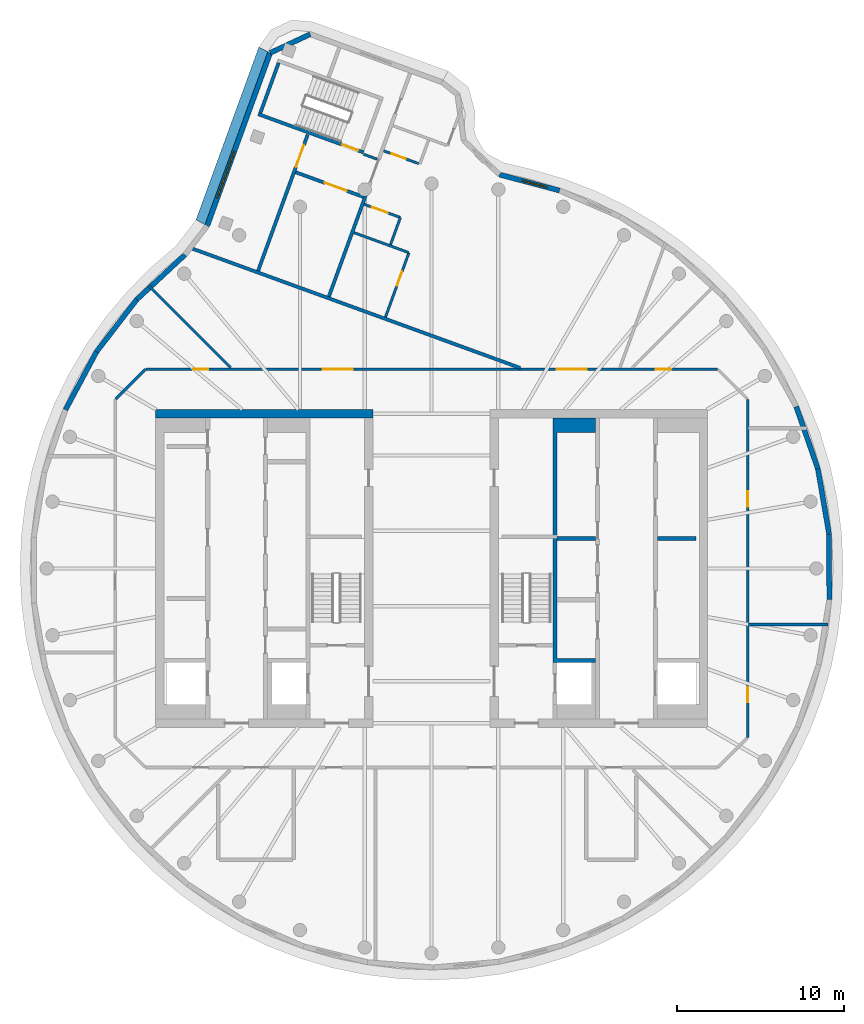
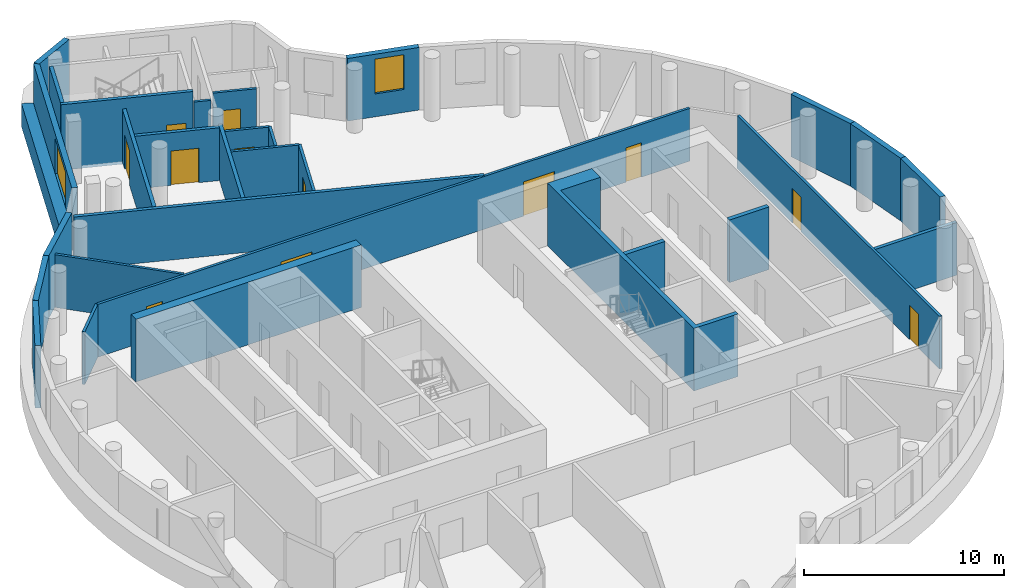
# One storey, part 5 of 7: 30 walls, 12 doors, 2 windows, 1 member, 14 openings.
"""IFC4 building model written with IfcOpenShell, lengths in metres."""

from ifc_helpers import new_model, si_unit, direction, frame, frame_2d, origin, place, context, subcontext, project, spatial, polyline, rectangle, outline, extrude, material, layer, layer_set, type_object, element, fill, aggregate, save


model = new_model("IFC4")

# Units and contexts
model_context = context("Model", 3, precision=1e-05, world=origin(), true_north=direction((0.0, 1.0)))
body_context = subcontext(model_context, "Body", "Model", "MODEL_VIEW")
ifc_project = project(units=[si_unit("LENGTHUNIT", "METRE"), si_unit("AREAUNIT", "SQUARE_METRE"), si_unit("VOLUMEUNIT", "CUBIC_METRE"), si_unit("PLANEANGLEUNIT", "RADIAN"), si_unit("MASSUNIT", "GRAM", prefix="KILO")], contexts=[model_context])

# Member
ifc_material_1 = material(Name="Aluminium and insulated spandrel panel", Category="aluminium")
member_type = type_object("IfcMemberType", Name="Floor-edge blade transom", PredefinedType="USERDEFINED", material=ifc_material_1)
site_placement = place(None, origin())
building_placement = place(site_placement, origin())
storey_placement = place(building_placement, frame((0.0, 0.0, 317.39990234375)))
member_placement = place(storey_placement, origin())
member = element("IfcMember", 1, at=member_placement, type_object=member_type, Name="CWT-L78-01", ObjectType="TRANSOM", PredefinedType="USERDEFINED", context=body_context, shape_type="SweptSolid", body=[
    extrude(outline(polyline([(-9.78173828125, 30.880859375), (-13.54248046875, 20.54736328125), (-14.07470703125, 20.839599609375), (-10.318603515625, 31.16015625), (-9.78173828125, 30.880859375)])), origin(), (0.0, 0.0, 1.0), 1.400146484375),
])

# Site, building, storey
site = spatial("IfcSite", under=ifc_project, at=site_placement, CompositionType="ELEMENT")
building = spatial("IfcBuilding", under=site, at=building_placement, Name="Tamarind Cross Interchange Tower", CompositionType="ELEMENT")
storey = spatial("IfcBuildingStorey", under=building, at=storey_placement, Name="L78", CompositionType="ELEMENT", Elevation=317.39990234375)

# Walls
ifc_material_2 = material(Name="Concrete C50", Category="concrete")
ifc_layer_1 = layer(ifc_material_2, 0.5)
ifc_layer_set_1 = layer_set([ifc_layer_1], Name="Concrete C50")
wall_type_1 = type_object("IfcWallType", Name="Core wall 500 mm Concrete C50", PredefinedType="SHEAR", material=ifc_layer_set_1)
wall_1_placement = place(storey_placement, frame((-16.5, 9.25, 0.0), z_axis=(0.0, 0.0, 1.0), x_axis=(1.0, 0.0, 0.0)))
element("IfcWall", 2, at=wall_1_placement, inside=storey, type_object=wall_type_1, Name="Core wall CWL-L78-W-NE", PredefinedType="SHEAR", context=body_context, shape_type="SweptSolid", body=[
    extrude(rectangle(XDim=13.0, YDim=0.5, at=frame_2d((6.5, 0.0))), origin(), (0.0, 0.0, 1.0), 3.820068359375),
])
ifc_layer_2 = layer(ifc_material_2, 0.25)
ifc_layer_set_2 = layer_set([ifc_layer_2], Name="Concrete C50")
wall_type_2 = type_object("IfcWallType", Name="Core web wall 250 mm Concrete C50", PredefinedType="SHEAR", material=ifc_layer_set_2)
wall_2_placement = place(storey_placement, origin())
element("IfcWall", 3, at=wall_2_placement, inside=storey, type_object=wall_type_2, Name="Core wall CWL-L78-E-BN", PredefinedType="SHEAR", context=body_context, shape_type="SweptSolid", body=[
    extrude(outline(polyline([(9.800048828125, -5.625), (9.800048828125, -5.375), (7.5, -5.375), (7.5, 8.125), (9.800048828125, 8.125), (9.800048828125, 9.0), (7.5, 9.0), (7.25, 9.0), (7.25, -5.625), (7.5, -5.625), (9.800048828125, -5.625)])), origin(), (0.0, 0.0, 1.0), 3.820068359375),
])
ifc_material_3 = material(Name="Gypsum board partition on steel studs", Category="steel")
ifc_layer_3 = layer(ifc_material_3, 0.14990234375)
ifc_layer_set_3 = layer_set([ifc_layer_3], Name="Gypsum board partition on steel studs")
wall_type_3 = type_object("IfcWallType", Name="Partition 150 mm EI 120", PredefinedType="PARTITIONING", material=ifc_layer_set_3)
wall_3_placement = place(storey_placement, frame((-16.921142578125, 16.921142578125, 0.0), z_axis=(0.0, 0.0, 1.0), x_axis=(0.707106781187, -0.707106781187, 0.0)))
element("IfcWall", 4, at=wall_3_placement, inside=storey, type_object=wall_type_3, Name="Partition L78-002", PredefinedType="PARTITIONING", context=body_context, shape_type="SweptSolid", body=[
    extrude(rectangle(XDim=6.946044921875, YDim=0.14990234375, at=frame_2d((3.47314453125, 0.0))), origin(), (0.0, 0.0, 1.0), 3.22021484375),
])
wall_4_placement = place(storey_placement, frame((-4.639892578125, 20.07080078125, 0.0), z_axis=(0.0, 0.0, 1.0), x_axis=(0.939625353143, -0.342204903138, 0.0)))
element("IfcWall", 5, at=wall_4_placement, inside=storey, type_object=wall_type_3, Name="Partition L78-007", PredefinedType="PARTITIONING", context=body_context, shape_type="SweptSolid", body=[
    extrude(rectangle(XDim=3.480224609375, YDim=0.14990234375, at=frame_2d((1.740234375, 0.0))), origin(), (0.0, 0.0, 1.0), 3.22021484375),
])

# Wall, opening, door
wall_5_placement = place(storey_placement, frame((-4.02392578125, 21.76171875, 0.0), z_axis=(0.0, 0.0, 1.0), x_axis=(0.939640114695, -0.342164368185, 0.0)))
wall_5 = element("IfcWall", 6, at=wall_5_placement, inside=storey, type_object=wall_type_3, Name="Partition L78-008", PredefinedType="PARTITIONING", context=body_context, shape_type="SweptSolid", body=[
    extrude(rectangle(XDim=2.27978515625, YDim=0.14990234375, at=frame_2d((1.139892578125, 0.0))), origin(), (0.0, 0.0, 1.0), 3.22021484375),
])
opening_1_placement = place(wall_5_placement, frame((0.5, 0.0, 0.0)))
opening_1 = element("IfcOpeningElement", 7, at=opening_1_placement, cuts=wall_5, Name="Opening D02", PredefinedType="OPENING", context=body_context, shape_type="SweptSolid", body=[
    extrude(rectangle(XDim=1.0, YDim=2.10009765625, at=frame_2d((0.5, 1.050048828125))), frame((0.0, 0.0849609375, 0.0), z_axis=(0.0, -1.0, 0.0), x_axis=(1.0, 0.0, 0.0)), (0.0, 0.0, 1.0), 0.169921875),
])
ifc_material_4 = material(Name="Fire-resisting door set")
door_type_1 = type_object("IfcDoorType", Name="Interior door 1000 x 2100 FD60S", OperationType="SINGLE_SWING_LEFT", PredefinedType="DOOR", material=ifc_material_4)
door_1_placement = place(opening_1_placement, frame((1.0, 0.0, 0.0), z_axis=(0.0, 0.0, 1.0), x_axis=(-1.0, 0.0, 0.0)))
door_1 = element("IfcDoor", 8, at=door_1_placement, inside=storey, type_object=door_type_1, Name="Door D02", OperationType="SINGLE_SWING_LEFT", OverallHeight=2.10009765625, OverallWidth=1.0, PredefinedType="DOOR", context=body_context, shape_type="SweptSolid", body=[
    extrude(rectangle(XDim=1.0, YDim=2.10009765625, at=frame_2d((0.5, 1.050048828125))), frame((0.0, 0.02490234375, 0.0), z_axis=(0.0, -1.0, 0.0), x_axis=(1.0, 0.0, 0.0)), (0.0, 0.0, 1.0), 0.050048828125),
])
fill(opening_1, door_1)

# Wall
wall_6_placement = place(storey_placement, frame((-4.0634765625, 24.755859375, 0.0), z_axis=(0.0, 0.0, 1.0), x_axis=(0.939710329429, -0.341971485308, 0.0)))
element("IfcWall", 9, at=wall_6_placement, inside=storey, type_object=wall_type_3, Name="Partition L78-009", PredefinedType="PARTITIONING", context=body_context, shape_type="SweptSolid", body=[
    extrude(rectangle(XDim=0.858154296875, YDim=0.14990234375, at=frame_2d((0.42919921875, 0.0))), origin(), (0.0, 0.0, 1.0), 3.22021484375),
])

# Wall, opening, door
wall_7_placement = place(storey_placement, frame((-2.861083984375, 24.956787109375, 0.0), z_axis=(0.0, 0.0, 1.0), x_axis=(0.93968419655, -0.342043287836, 0.0)))
wall_7 = element("IfcWall", 10, at=wall_7_placement, inside=storey, type_object=wall_type_3, Name="Partition L78-010", PredefinedType="PARTITIONING", context=body_context, shape_type="SweptSolid", body=[
    extrude(rectangle(XDim=2.2197265625, YDim=0.14990234375, at=frame_2d((1.10986328125, 0.0))), origin(), (0.0, 0.0, 1.0), 3.22021484375),
])
opening_2_placement = place(wall_7_placement, frame((0.5, 0.0, 0.0)))
opening_2 = element("IfcOpeningElement", 11, at=opening_2_placement, cuts=wall_7, Name="Opening D03", PredefinedType="OPENING", context=body_context, shape_type="SweptSolid", body=[
    extrude(rectangle(XDim=0.89990234375, YDim=2.10009765625, at=frame_2d((0.449951171875, 1.050048828125))), frame((0.0, 0.0849609375, 0.0), z_axis=(0.0, -1.0, 0.0), x_axis=(1.0, 0.0, 0.0)), (0.0, 0.0, 1.0), 0.169921875),
])
door_type_2 = type_object("IfcDoorType", Name="Interior door 900 x 2100 FD60S", OperationType="SINGLE_SWING_LEFT", PredefinedType="DOOR", material=ifc_material_4)
door_2_placement = place(opening_2_placement, origin())
door_2 = element("IfcDoor", 12, at=door_2_placement, inside=storey, type_object=door_type_2, Name="Door D03", OperationType="SINGLE_SWING_RIGHT", OverallHeight=2.10009765625, OverallWidth=0.89990234375, PredefinedType="DOOR", context=body_context, shape_type="SweptSolid", body=[
    extrude(rectangle(XDim=0.89990234375, YDim=2.10009765625, at=frame_2d((0.449951171875, 1.050048828125))), frame((0.0, 0.02490234375, 0.0), z_axis=(0.0, -1.0, 0.0), x_axis=(1.0, 0.0, 0.0)), (0.0, 0.0, 1.0), 0.050048828125),
])
fill(opening_2, door_2)

# Wall, openings, doors
wall_8_placement = place(storey_placement, frame((-17.06494140625, 11.89990234375, 0.0), z_axis=(0.0, 0.0, 1.0), x_axis=(1.0, 0.0, 0.0)))
wall_8 = element("IfcWall", 13, at=wall_8_placement, inside=storey, type_object=wall_type_3, Name="Partition L78-015", PredefinedType="PARTITIONING", context=body_context, shape_type="SweptSolid", body=[
    extrude(rectangle(XDim=34.1650390625, YDim=0.14990234375, at=frame_2d((17.08251953125, 0.0))), origin(), (0.0, 0.0, 1.0), 3.22021484375),
])
opening_3_placement = place(wall_8_placement, frame((24.5439453125, 0.0, 0.0)))
opening_3 = element("IfcOpeningElement", 14, at=opening_3_placement, cuts=wall_8, Name="Opening D09", PredefinedType="OPENING", context=body_context, shape_type="SweptSolid", body=[
    extrude(rectangle(XDim=1.800048828125, YDim=2.10009765625, at=frame_2d((0.89990234375, 1.050048828125))), frame((0.0, 0.0849609375, 0.0), z_axis=(0.0, -1.0, 0.0), x_axis=(1.0, 0.0, 0.0)), (0.0, 0.0, 1.0), 0.169921875),
])
opening_4_placement = place(wall_8_placement, frame((30.465087890625, 0.0, 0.0)))
opening_4 = element("IfcOpeningElement", 15, at=opening_4_placement, cuts=wall_8, Name="Opening D10", PredefinedType="OPENING", context=body_context, shape_type="SweptSolid", body=[
    extrude(rectangle(XDim=0.89990234375, YDim=2.10009765625, at=frame_2d((0.449951171875, 1.050048828125))), frame((0.0, 0.0849609375, 0.0), z_axis=(0.0, -1.0, 0.0), x_axis=(1.0, 0.0, 0.0)), (0.0, 0.0, 1.0), 0.169921875),
])
opening_5_placement = place(wall_8_placement, frame((2.81494140625, 0.0, 0.0)))
opening_5 = element("IfcOpeningElement", 16, at=opening_5_placement, cuts=wall_8, Name="Opening D11", PredefinedType="OPENING", context=body_context, shape_type="SweptSolid", body=[
    extrude(rectangle(XDim=0.89990234375, YDim=2.10009765625, at=frame_2d((0.449951171875, 1.050048828125))), frame((0.0, 0.0849609375, 0.0), z_axis=(0.0, -1.0, 0.0), x_axis=(1.0, 0.0, 0.0)), (0.0, 0.0, 1.0), 0.169921875),
])
opening_6_placement = place(wall_8_placement, frame((10.56494140625, 0.0, 0.0)))
opening_6 = element("IfcOpeningElement", 17, at=opening_6_placement, cuts=wall_8, Name="Opening D12", PredefinedType="OPENING", context=body_context, shape_type="SweptSolid", body=[
    extrude(rectangle(XDim=1.800048828125, YDim=2.10009765625, at=frame_2d((0.89990234375, 1.050048828125))), frame((0.0, 0.0849609375, 0.0), z_axis=(0.0, -1.0, 0.0), x_axis=(1.0, 0.0, 0.0)), (0.0, 0.0, 1.0), 0.169921875),
])
door_type_3 = type_object("IfcDoorType", Name="Interior door 1800 x 2100 FD60S", OperationType="DOUBLE_DOOR_SINGLE_SWING", PredefinedType="DOOR", material=ifc_material_4)
door_3_placement = place(opening_3_placement, frame((1.800048828125, 0.0, 0.0), z_axis=(0.0, 0.0, 1.0), x_axis=(-1.0, 0.0, 0.0)))
door_3 = element("IfcDoor", 18, at=door_3_placement, inside=storey, type_object=door_type_3, Name="Door D09", OperationType="DOUBLE_DOOR_SINGLE_SWING", OverallHeight=2.10009765625, OverallWidth=1.800048828125, PredefinedType="DOOR", context=body_context, shape_type="SweptSolid", body=[
    extrude(rectangle(XDim=1.800048828125, YDim=2.10009765625, at=frame_2d((0.89990234375, 1.050048828125))), frame((0.0, 0.02490234375, 0.0), z_axis=(0.0, -1.0, 0.0), x_axis=(1.0, 0.0, 0.0)), (0.0, 0.0, 1.0), 0.050048828125),
])
fill(opening_3, door_3)
door_4_placement = place(opening_6_placement, origin())
door_4 = element("IfcDoor", 19, at=door_4_placement, inside=storey, type_object=door_type_3, Name="Door D12", OperationType="DOUBLE_DOOR_SINGLE_SWING", OverallHeight=2.10009765625, OverallWidth=1.800048828125, PredefinedType="DOOR", context=body_context, shape_type="SweptSolid", body=[
    extrude(rectangle(XDim=1.800048828125, YDim=2.10009765625, at=frame_2d((0.89990234375, 1.050048828125))), frame((0.0, 0.02490234375, 0.0), z_axis=(0.0, -1.0, 0.0), x_axis=(1.0, 0.0, 0.0)), (0.0, 0.0, 1.0), 0.050048828125),
])
fill(opening_6, door_4)
door_5_placement = place(opening_4_placement, origin())
door_5 = element("IfcDoor", 20, at=door_5_placement, inside=storey, type_object=door_type_2, Name="Door D10", OperationType="SINGLE_SWING_LEFT", OverallHeight=2.10009765625, OverallWidth=0.89990234375, PredefinedType="DOOR", context=body_context, shape_type="SweptSolid", body=[
    extrude(rectangle(XDim=0.89990234375, YDim=2.10009765625, at=frame_2d((0.449951171875, 1.050048828125))), frame((0.0, 0.02490234375, 0.0), z_axis=(0.0, -1.0, 0.0), x_axis=(1.0, 0.0, 0.0)), (0.0, 0.0, 1.0), 0.050048828125),
])
fill(opening_4, door_5)
door_6_placement = place(opening_5_placement, origin())
door_6 = element("IfcDoor", 21, at=door_6_placement, inside=storey, type_object=door_type_2, Name="Door D11", OperationType="SINGLE_SWING_RIGHT", OverallHeight=2.10009765625, OverallWidth=0.89990234375, PredefinedType="DOOR", context=body_context, shape_type="SweptSolid", body=[
    extrude(rectangle(XDim=0.89990234375, YDim=2.10009765625, at=frame_2d((0.449951171875, 1.050048828125))), frame((0.0, 0.02490234375, 0.0), z_axis=(0.0, -1.0, 0.0), x_axis=(1.0, 0.0, 0.0)), (0.0, 0.0, 1.0), 0.050048828125),
])
fill(opening_5, door_6)

# Wall
wall_9_placement = place(storey_placement, frame((-18.87158203125, 10.12841796875, 0.0), z_axis=(0.0, 0.0, 1.0), x_axis=(0.707106781187, 0.707106781187, 0.0)))
element("IfcWall", 22, at=wall_9_placement, inside=storey, type_object=wall_type_3, Name="Partition L78-020", PredefinedType="PARTITIONING", context=body_context, shape_type="SweptSolid", body=[
    extrude(rectangle(XDim=2.50537109375, YDim=0.14990234375, at=frame_2d((1.252685546875, 0.0))), origin(), (0.0, 0.0, 1.0), 3.22021484375),
])

# Wall, opening, door
wall_10_placement = place(storey_placement, frame((-2.752685546875, 15.02099609375, 0.0), z_axis=(0.0, 0.0, 1.0), x_axis=(0.341929559358, 0.939725585709, 0.0)))
wall_10 = element("IfcWall", 23, at=wall_10_placement, inside=storey, type_object=wall_type_3, Name="Partition L78-028", PredefinedType="PARTITIONING", context=body_context, shape_type="SweptSolid", body=[
    extrude(rectangle(XDim=4.09912109375, YDim=0.14990234375, at=frame_2d((2.049560546875, 0.0))), origin(), (0.0, 0.0, 1.0), 3.22021484375),
])
opening_7_placement = place(wall_10_placement, frame((2.0, 0.0, 0.0)))
opening_7 = element("IfcOpeningElement", 24, at=opening_7_placement, cuts=wall_10, Name="Opening D16", PredefinedType="OPENING", context=body_context, shape_type="SweptSolid", body=[
    extrude(rectangle(XDim=0.89990234375, YDim=2.10009765625, at=frame_2d((0.449951171875, 1.050048828125))), frame((0.0, 0.0849609375, 0.0), z_axis=(0.0, -1.0, 0.0), x_axis=(1.0, 0.0, 0.0)), (0.0, 0.0, 1.0), 0.169921875),
])
door_7_placement = place(opening_7_placement, origin())
door_7 = element("IfcDoor", 25, at=door_7_placement, inside=storey, type_object=door_type_2, Name="Door D16", OperationType="SINGLE_SWING_LEFT", OverallHeight=2.10009765625, OverallWidth=0.89990234375, PredefinedType="DOOR", context=body_context, shape_type="SweptSolid", body=[
    extrude(rectangle(XDim=0.89990234375, YDim=2.10009765625, at=frame_2d((0.449951171875, 1.050048828125))), frame((0.0, 0.02490234375, 0.0), z_axis=(0.0, -1.0, 0.0), x_axis=(1.0, 0.0, 0.0)), (0.0, 0.0, 1.0), 0.050048828125),
])
fill(opening_7, door_7)

# Wall
wall_11_placement = place(storey_placement, frame((-2.452392578125, 19.3544921875, 0.0), z_axis=(0.0, 0.0, 1.0), x_axis=(0.341765797908, 0.939785155969, 0.0)))
element("IfcWall", 26, at=wall_11_placement, inside=storey, type_object=wall_type_3, Name="Partition L78-030", PredefinedType="PARTITIONING", context=body_context, shape_type="SweptSolid", body=[
    extrude(rectangle(XDim=1.724365234375, YDim=0.14990234375, at=frame_2d((0.8623046875, 0.0))), origin(), (0.0, 0.0, 1.0), 3.22021484375),
])

# Wall, openings, doors
wall_12_placement = place(storey_placement, frame((18.89990234375, -10.10009765625, 0.0), z_axis=(0.0, 0.0, 1.0), x_axis=(0.0, 1.0, 0.0)))
wall_12 = element("IfcWall", 27, at=wall_12_placement, inside=storey, type_object=wall_type_3, Name="Partition L78-039", PredefinedType="PARTITIONING", context=body_context, shape_type="SweptSolid", body=[
    extrude(rectangle(XDim=20.2001953125, YDim=0.14990234375, at=frame_2d((10.10009765625, 0.0))), origin(), (0.0, 0.0, 1.0), 3.22021484375),
])
opening_8_placement = place(wall_12_placement, frame((2.10009765625, 0.0, 0.0)))
opening_8 = element("IfcOpeningElement", 28, at=opening_8_placement, cuts=wall_12, Name="Opening D19", PredefinedType="OPENING", context=body_context, shape_type="SweptSolid", body=[
    extrude(rectangle(XDim=0.89990234375, YDim=2.10009765625, at=frame_2d((0.449951171875, 1.050048828125))), frame((0.0, 0.0849609375, 0.0), z_axis=(0.0, -1.0, 0.0), x_axis=(1.0, 0.0, 0.0)), (0.0, 0.0, 1.0), 0.169921875),
])
opening_9_placement = place(wall_12_placement, frame((13.802001953125, 0.0, 0.0)))
opening_9 = element("IfcOpeningElement", 29, at=opening_9_placement, cuts=wall_12, Name="Opening D20", PredefinedType="OPENING", context=body_context, shape_type="SweptSolid", body=[
    extrude(rectangle(XDim=0.89990234375, YDim=2.10009765625, at=frame_2d((0.449951171875, 1.050048828125))), frame((0.0, 0.0849609375, 0.0), z_axis=(0.0, -1.0, 0.0), x_axis=(1.0, 0.0, 0.0)), (0.0, 0.0, 1.0), 0.169921875),
])
door_8_placement = place(opening_8_placement, frame((0.89990234375, 0.0, 0.0), z_axis=(0.0, 0.0, 1.0), x_axis=(-1.0, 0.0, 0.0)))
door_8 = element("IfcDoor", 30, at=door_8_placement, inside=storey, type_object=door_type_2, Name="Door D19", OperationType="SINGLE_SWING_LEFT", OverallHeight=2.10009765625, OverallWidth=0.89990234375, PredefinedType="DOOR", context=body_context, shape_type="SweptSolid", body=[
    extrude(rectangle(XDim=0.89990234375, YDim=2.10009765625, at=frame_2d((0.449951171875, 1.050048828125))), frame((0.0, 0.02490234375, 0.0), z_axis=(0.0, -1.0, 0.0), x_axis=(1.0, 0.0, 0.0)), (0.0, 0.0, 1.0), 0.050048828125),
])
fill(opening_8, door_8)
door_9_placement = place(opening_9_placement, frame((0.89990234375, 0.0, 0.0), z_axis=(0.0, 0.0, 1.0), x_axis=(-1.0, 0.0, 0.0)))
door_9 = element("IfcDoor", 31, at=door_9_placement, inside=storey, type_object=door_type_2, Name="Door D20", OperationType="SINGLE_SWING_RIGHT", OverallHeight=2.10009765625, OverallWidth=0.89990234375, PredefinedType="DOOR", context=body_context, shape_type="SweptSolid", body=[
    extrude(rectangle(XDim=0.89990234375, YDim=2.10009765625, at=frame_2d((0.449951171875, 1.050048828125))), frame((0.0, 0.02490234375, 0.0), z_axis=(0.0, -1.0, 0.0), x_axis=(1.0, 0.0, 0.0)), (0.0, 0.0, 1.0), 0.050048828125),
])
fill(opening_9, door_9)

# Wall
ifc_layer_4 = layer(ifc_material_3, 0.199951171875)
ifc_layer_set_4 = layer_set([ifc_layer_4], Name="Gypsum board partition on steel studs")
wall_type_4 = type_object("IfcWallType", Name="Partition 200 mm EI 180", PredefinedType="PARTITIONING", material=ifc_layer_set_4)
wall_13_placement = place(storey_placement, frame((-14.27099609375, 19.105712890625, 0.0), z_axis=(0.0, 0.0, 1.0), x_axis=(0.939707843555, -0.341978316216, 0.0)))
element("IfcWall", 32, at=wall_13_placement, inside=storey, type_object=wall_type_4, Name="Partition L78-005", PredefinedType="PARTITIONING", context=body_context, shape_type="SweptSolid", body=[
    extrude(rectangle(XDim=20.830322265625, YDim=0.199951171875, at=frame_2d((10.4150390625, 0.0))), origin(), (0.0, 0.0, 1.0), 3.22021484375),
])

# Wall, opening, door
wall_14_placement = place(storey_placement, frame((-8.115966796875, 23.6767578125, 0.0), z_axis=(0.0, 0.0, 1.0), x_axis=(0.939720382498, -0.341943859016, 0.0)))
wall_14 = element("IfcWall", 33, at=wall_14_placement, inside=storey, type_object=wall_type_4, Name="Partition L78-006", PredefinedType="PARTITIONING", context=body_context, shape_type="SweptSolid", body=[
    extrude(rectangle(XDim=4.29541015625, YDim=0.199951171875, at=frame_2d((2.147705078125, 0.0))), origin(), (0.0, 0.0, 1.0), 3.22021484375),
])
opening_10_placement = place(wall_14_placement, frame((1.85009765625, 0.0, 0.0)))
opening_10 = element("IfcOpeningElement", 34, at=opening_10_placement, cuts=wall_14, Name="Opening D01", PredefinedType="OPENING", context=body_context, shape_type="SweptSolid", body=[
    extrude(rectangle(XDim=1.39990234375, YDim=2.10009765625, at=frame_2d((0.699951171875, 1.050048828125))), frame((0.0, 0.10986328125, 0.0), z_axis=(0.0, -1.0, 0.0), x_axis=(1.0, 0.0, 0.0)), (0.0, 0.0, 1.0), 0.219970703125),
])
door_type_4 = type_object("IfcDoorType", Name="Interior door 1400 x 2100 FD120S", OperationType="DOUBLE_DOOR_SINGLE_SWING", PredefinedType="DOOR", material=ifc_material_4)
door_10_placement = place(opening_10_placement, frame((1.39990234375, 0.0, 0.0), z_axis=(0.0, 0.0, 1.0), x_axis=(-1.0, 0.0, 0.0)))
door_10 = element("IfcDoor", 35, at=door_10_placement, inside=storey, type_object=door_type_4, Name="Door D01", OperationType="DOUBLE_DOOR_SINGLE_SWING", OverallHeight=2.10009765625, OverallWidth=1.39990234375, PredefinedType="DOOR", context=body_context, shape_type="SweptSolid", body=[
    extrude(rectangle(XDim=1.39990234375, YDim=2.10009765625, at=frame_2d((0.699951171875, 1.050048828125))), frame((0.0, 0.02490234375, 0.0), z_axis=(0.0, -1.0, 0.0), x_axis=(1.0, 0.0, 0.0)), (0.0, 0.0, 1.0), 0.050048828125),
])
fill(opening_10, door_10)

# Wall
wall_15_placement = place(storey_placement, frame((18.955078125, -3.347900390625, 0.0), z_axis=(0.0, 0.0, 1.0), x_axis=(1.0, 0.0, 0.0)))
element("IfcWall", 36, at=wall_15_placement, inside=storey, type_object=wall_type_4, Name="Partition L78-018", PredefinedType="PARTITIONING", context=body_context, shape_type="SweptSolid", body=[
    extrude(rectangle(XDim=4.72802734375, YDim=0.199951171875, at=frame_2d((2.364013671875, 0.0))), origin(), (0.0, 0.0, 1.0), 3.22021484375),
])

# Wall, opening, door
wall_16_placement = place(storey_placement, frame((-10.36474609375, 17.791015625, 0.0), z_axis=(0.0, 0.0, 1.0), x_axis=(0.342032792834, 0.939688016645, 0.0)))
wall_16 = element("IfcWall", 37, at=wall_16_placement, inside=storey, type_object=wall_type_4, Name="Partition L78-024", PredefinedType="PARTITIONING", context=body_context, shape_type="SweptSolid", body=[
    extrude(rectangle(XDim=8.65966796875, YDim=0.199951171875, at=frame_2d((4.329833984375, 0.0))), origin(), (0.0, 0.0, 1.0), 3.22021484375),
])
opening_11_placement = place(wall_16_placement, frame((6.60009765625, 0.0, 0.0)))
opening_11 = element("IfcOpeningElement", 38, at=opening_11_placement, cuts=wall_16, Name="Opening D13", PredefinedType="OPENING", context=body_context, shape_type="SweptSolid", body=[
    extrude(rectangle(XDim=1.39990234375, YDim=2.10009765625, at=frame_2d((0.699951171875, 1.050048828125))), frame((0.0, 0.10986328125, 0.0), z_axis=(0.0, -1.0, 0.0), x_axis=(1.0, 0.0, 0.0)), (0.0, 0.0, 1.0), 0.219970703125),
])
door_11_placement = place(opening_11_placement, origin())
door_11 = element("IfcDoor", 39, at=door_11_placement, inside=storey, type_object=door_type_4, Name="Door D13", OperationType="DOUBLE_DOOR_SINGLE_SWING", OverallHeight=2.10009765625, OverallWidth=1.39990234375, PredefinedType="DOOR", context=body_context, shape_type="SweptSolid", body=[
    extrude(rectangle(XDim=1.39990234375, YDim=2.10009765625, at=frame_2d((0.699951171875, 1.050048828125))), frame((0.0, 0.02490234375, 0.0), z_axis=(0.0, -1.0, 0.0), x_axis=(1.0, 0.0, 0.0)), (0.0, 0.0, 1.0), 0.050048828125),
])
fill(opening_11, door_11)

# Walls
wall_17_placement = place(storey_placement, frame((-6.1357421875, 16.251953125, 0.0), z_axis=(0.0, 0.0, 1.0), x_axis=(0.341890434998, 0.939739820619, 0.0)))
element("IfcWall", 40, at=wall_17_placement, inside=storey, type_object=wall_type_4, Name="Partition L78-026", PredefinedType="PARTITIONING", context=body_context, shape_type="SweptSolid", body=[
    extrude(rectangle(XDim=6.517578125, YDim=0.199951171875, at=frame_2d((3.2587890625, 0.0))), origin(), (0.0, 0.0, 1.0), 3.22021484375),
])
ifc_material_5 = material(Name="Precast concrete C40", Category="concrete")
ifc_layer_5 = layer(ifc_material_5, 0.300048828125)
ifc_layer_set_5 = layer_set([ifc_layer_5], Name="Precast concrete C40")
wall_type_5 = type_object("IfcWallType", Name="Plant louvre wall", PredefinedType="SOLIDWALL", material=ifc_layer_set_5)
wall_18_placement = place(storey_placement, frame((-7.251220703125, 31.928466796875, 0.0), z_axis=(0.0, 0.0, 1.0), x_axis=(-0.906301055213, -0.422632697882, 0.0)))
element("IfcWall", 41, at=wall_18_placement, inside=storey, type_object=wall_type_5, Name="EXW-L78-00-01", PredefinedType="SOLIDWALL", context=body_context, shape_type="SweptSolid", body=[
    extrude(rectangle(XDim=2.64404296875, YDim=0.300048828125, at=frame_2d((1.322021484375, 0.0))), origin(), (0.0, 0.0, 1.0), 3.820068359375),
])

# Wall, opening, window
wall_19_placement = place(storey_placement, frame((-9.6474609375, 30.81103515625, 0.0), z_axis=(0.0, 0.0, 1.0), x_axis=(-0.341997884375, -0.939700722083, 0.0)))
wall_19 = element("IfcWall", 42, at=wall_19_placement, inside=storey, type_object=wall_type_5, Name="EXW-L78-01-00", PredefinedType="SOLIDWALL", context=body_context, shape_type="SweptSolid", body=[
    extrude(rectangle(XDim=11.0, YDim=0.300048828125, at=frame_2d((5.5, 0.0))), origin(), (0.0, 0.0, 1.0), 3.820068359375),
])
opening_12_placement = place(wall_19_placement, frame((6.230224609375, 0.0, 1.39990234375)))
opening_12 = element("IfcOpeningElement", 43, at=opening_12_placement, cuts=wall_19, Name="Opening W2", PredefinedType="OPENING", context=body_context, shape_type="SweptSolid", body=[
    extrude(rectangle(XDim=3.0, YDim=2.1201171875, at=frame_2d((1.5, 1.06005859375))), frame((0.0, 0.159912109375, 0.0), z_axis=(0.0, -1.0, 0.0), x_axis=(1.0, 0.0, 0.0)), (0.0, 0.0, 1.0), 0.320068359375),
])
ifc_material_6 = material(Name="Aluminium louvre", Category="aluminium")
window_type = type_object("IfcWindowType", Name="Plant louvre bank", PartitioningType="SINGLE_PANEL", PredefinedType="WINDOW", material=ifc_material_6)
window_1_placement = place(opening_12_placement, origin())
window_1 = element("IfcWindow", 44, at=window_1_placement, inside=storey, type_object=window_type, Name="WIN-L78-01-00", OverallHeight=2.1201171875, OverallWidth=3.0, PartitioningType="SINGLE_PANEL", PredefinedType="WINDOW", context=body_context, shape_type="SweptSolid", body=[
    extrude(rectangle(XDim=3.0, YDim=2.1201171875, at=frame_2d((1.5, 1.06005859375))), frame((0.0, 0.030029296875, 0.0), z_axis=(0.0, -1.0, 0.0), x_axis=(1.0, 0.0, 0.0)), (0.0, 0.0, 1.0), 0.06005859375),
])
fill(opening_12, window_1)

aggregate(wall_19, [member])

# Walls
wall_20_placement = place(storey_placement, frame((-14.738525390625, 18.7451171875, 0.0), z_axis=(0.0, 0.0, 1.0), x_axis=(-0.73266715928, -0.680587124263, 0.0)))
element("IfcWall", 45, at=wall_20_placement, inside=storey, type_object=wall_type_5, Name="EXW-L78-02-01", PredefinedType="SOLIDWALL", context=body_context, shape_type="SweptSolid", body=[
    extrude(rectangle(XDim=3.923583984375, YDim=0.300048828125, at=frame_2d((1.9619140625, 0.0))), origin(), (0.0, 0.0, 1.0), 3.820068359375),
])
for number, where, z_axis, x_axis, name in (
    (46, (-17.61328125, 16.07470703125, 0.0), (0.0, 0.0, 1.0), (-0.610785688376, -0.79179596038, 0.0), "EXW-L78-02-02"),
    (47, (-20.018798828125, 12.956298828125, 0.0), (0.0, 0.0, 1.0), (-0.472180126088, -0.881502086513, 0.0), "EXW-L78-02-03"),
    (48, (23.772705078125, -1.866943359375, 0.0), (0.0, 0.0, 1.0), (-0.004339160737, 0.999990585798, 0.0), "EXW-L78-02-25"),
):
    element("IfcWall", number, at=place(storey_placement, frame(where, z_axis=z_axis, x_axis=x_axis)), inside=storey, type_object=wall_type_5, Name=name, PredefinedType="SOLIDWALL", context=body_context, shape_type="SweptSolid", body=[
        extrude(rectangle(XDim=3.9384765625, YDim=0.300048828125, at=frame_2d((1.96923828125, 0.0))), origin(), (0.0, 0.0, 1.0), 3.820068359375),
    ])
wall_21_placement = place(storey_placement, frame((23.755615234375, 2.071533203125, 0.0), z_axis=(0.0, 0.0, 1.0), x_axis=(-0.168810670753, 0.985648495885, 0.0)))
element("IfcWall", 49, at=wall_21_placement, inside=storey, type_object=wall_type_5, Name="EXW-L78-02-26", PredefinedType="SOLIDWALL", context=body_context, shape_type="SweptSolid", body=[
    extrude(rectangle(XDim=3.93798828125, YDim=0.300048828125, at=frame_2d((1.968994140625, 0.0))), origin(), (0.0, 0.0, 1.0), 3.820068359375),
])
wall_22_placement = place(storey_placement, frame((23.0908203125, 5.953125, 0.0), z_axis=(0.0, 0.0, 1.0), x_axis=(-0.328789892836, 0.944403095277, 0.0)))
element("IfcWall", 50, at=wall_22_placement, inside=storey, type_object=wall_type_5, Name="EXW-L78-02-27", PredefinedType="SOLIDWALL", context=body_context, shape_type="SweptSolid", body=[
    extrude(rectangle(XDim=3.9384765625, YDim=0.300048828125, at=frame_2d((1.96923828125, 0.0))), origin(), (0.0, 0.0, 1.0), 3.820068359375),
])

# Wall, opening, window
wall_23_placement = place(storey_placement, frame((7.6455078125, 22.5869140625, 0.0), z_axis=(0.0, 0.0, 1.0), x_axis=(-0.96658946477, 0.256329488347, 0.0)))
wall_23 = element("IfcWall", 51, at=wall_23_placement, inside=storey, type_object=wall_type_5, Name="EXW-L78-02-33", PredefinedType="SOLIDWALL", context=body_context, shape_type="SweptSolid", body=[
    extrude(rectangle(XDim=3.716552734375, YDim=0.300048828125, at=frame_2d((1.8583984375, 0.0))), origin(), (0.0, 0.0, 1.0), 3.820068359375),
])
opening_13_placement = place(wall_23_placement, frame((0.786865234375, 0.0, 1.39990234375)))
opening_13 = element("IfcOpeningElement", 52, at=opening_13_placement, cuts=wall_23, Name="Opening W2", PredefinedType="OPENING", context=body_context, shape_type="SweptSolid", body=[
    extrude(rectangle(XDim=1.509033203125, YDim=2.1201171875, at=frame_2d((0.75439453125, 1.06005859375))), frame((0.0, 0.159912109375, 0.0), z_axis=(0.0, -1.0, 0.0), x_axis=(1.0, 0.0, 0.0)), (0.0, 0.0, 1.0), 0.320068359375),
])
window_2_placement = place(opening_13_placement, origin())
window_2 = element("IfcWindow", 53, at=window_2_placement, inside=storey, type_object=window_type, Name="WIN-L78-02-33", OverallHeight=2.1201171875, OverallWidth=1.509033203125, PartitioningType="SINGLE_PANEL", PredefinedType="WINDOW", context=body_context, shape_type="SweptSolid", body=[
    extrude(rectangle(XDim=1.509033203125, YDim=2.1201171875, at=frame_2d((0.75439453125, 1.06005859375))), frame((0.0, 0.030029296875, 0.0), z_axis=(0.0, -1.0, 0.0), x_axis=(1.0, 0.0, 0.0)), (0.0, 0.0, 1.0), 0.06005859375),
])
fill(opening_13, window_2)

# Walls
ifc_material_7 = material(Name="Concrete C40", Category="concrete")
ifc_layer_6 = layer(ifc_material_7, 0.25)
ifc_layer_set_6 = layer_set([ifc_layer_6], Name="Concrete C40")
wall_type_6 = type_object("IfcWallType", Name="Shaft and lobby wall 250 mm Concrete C40", PredefinedType="PARTITIONING", material=ifc_layer_set_6)
for number, where, z_axis, x_axis, name in (
    (54, (15.800048828125, 1.7919921875, 0.0), (0.0, 0.0, 1.0), (-1.0, 0.0, 0.0), "Shaft wall CWL-L78-E-FPA1"),
    (55, (9.800048828125, 1.7919921875, 0.0), (0.0, 0.0, 1.0), (-1.0, 0.0, 0.0), "Shaft wall CWL-L78-E-FPB3"),
):
    element("IfcWall", number, at=place(storey_placement, frame(where, z_axis=z_axis, x_axis=x_axis)), inside=storey, type_object=wall_type_6, Name=name, PredefinedType="PARTITIONING", context=body_context, shape_type="SweptSolid", body=[
        extrude(rectangle(XDim=2.300048828125, YDim=0.25, at=frame_2d((1.14990234375, 0.0))), origin(), (0.0, 0.0, 1.0), 3.820068359375),
    ])

# Wall, opening, door
ifc_layer_7 = layer(ifc_material_7, 0.199951171875)
ifc_layer_set_7 = layer_set([ifc_layer_7], Name="Concrete C40")
wall_type_7 = type_object("IfcWallType", Name="Stair shaft wall 200 mm Concrete C40", PredefinedType="SHEAR", material=ifc_layer_set_7)
wall_24_placement = place(storey_placement, frame((-4.06591796875, 24.86328125, -0.179931640625), z_axis=(0.0, 0.0, 1.0), x_axis=(-0.939709347419, 0.341974183781, 0.0)))
wall_24 = element("IfcWall", 56, at=wall_24_placement, inside=storey, type_object=wall_type_7, Name="Core wall CWL-L78-ST4-H", PredefinedType="SHEAR", context=body_context, shape_type="SweptSolid", body=[
    extrude(rectangle(XDim=6.7001953125, YDim=0.199951171875, at=frame_2d((3.35009765625, 0.0))), origin(), (0.0, 0.0, 1.0), 4.0),
])
opening_14_placement = place(wall_24_placement, frame((0.35009765625, 0.0, 0.0)))
opening_14 = element("IfcOpeningElement", 57, at=opening_14_placement, cuts=wall_24, Name="Opening ST4L78", PredefinedType="OPENING", context=body_context, shape_type="SweptSolid", body=[
    extrude(rectangle(XDim=1.0, YDim=2.10009765625, at=frame_2d((0.5, 1.050048828125))), frame((0.0, 0.10986328125, 0.0), z_axis=(0.0, -1.0, 0.0), x_axis=(1.0, 0.0, 0.0)), (0.0, 0.0, 1.0), 0.219970703125),
])
ifc_material_8 = material(Name="Steel, fire-resisting", Category="steel")
door_type_5 = type_object("IfcDoorType", Name="Core fire door 1000 x 2100 FD90", OperationType="SINGLE_SWING_LEFT", PredefinedType="DOOR", material=ifc_material_8)
door_12_placement = place(opening_14_placement, origin())
door_12 = element("IfcDoor", 58, at=door_12_placement, inside=storey, type_object=door_type_5, Name="L78 stair door ST4", OperationType="SINGLE_SWING_LEFT", OverallHeight=2.10009765625, OverallWidth=1.0, PredefinedType="DOOR", context=body_context, shape_type="SweptSolid", body=[
    extrude(rectangle(XDim=1.0, YDim=2.10009765625, at=frame_2d((0.5, 1.050048828125))), frame((0.0, 0.02490234375, 0.0), z_axis=(0.0, -1.0, 0.0), x_axis=(1.0, 0.0, 0.0)), (0.0, 0.0, 1.0), 0.050048828125),
])
fill(opening_14, door_12)

# Wall
wall_25_placement = place(storey_placement, frame((0.0, 0.0, -0.179931640625)))
element("IfcWall", 59, at=wall_25_placement, inside=storey, type_object=wall_type_7, Name="Core wall CWL-L78-ST4-CF", PredefinedType="SHEAR", context=body_context, shape_type="SweptSolid", body=[
    extrude(outline(polyline([(-9.04541015625, 30.187255859375), (-9.2333984375, 30.255615234375), (-10.327880859375, 27.24853515625), (-10.139892578125, 27.18017578125), (-9.04541015625, 30.187255859375)])), origin(), (0.0, 0.0, 1.0), 4.0),
])

save(model, "model.ifc")
